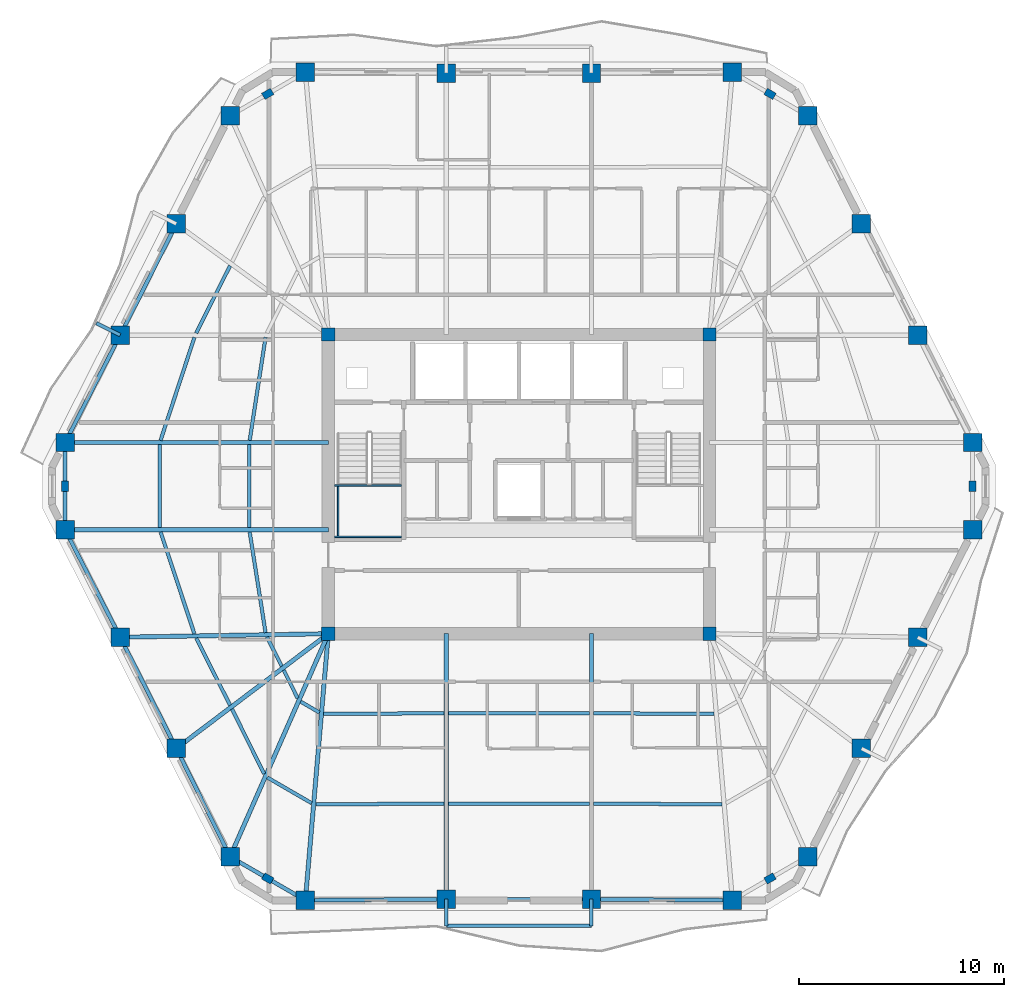
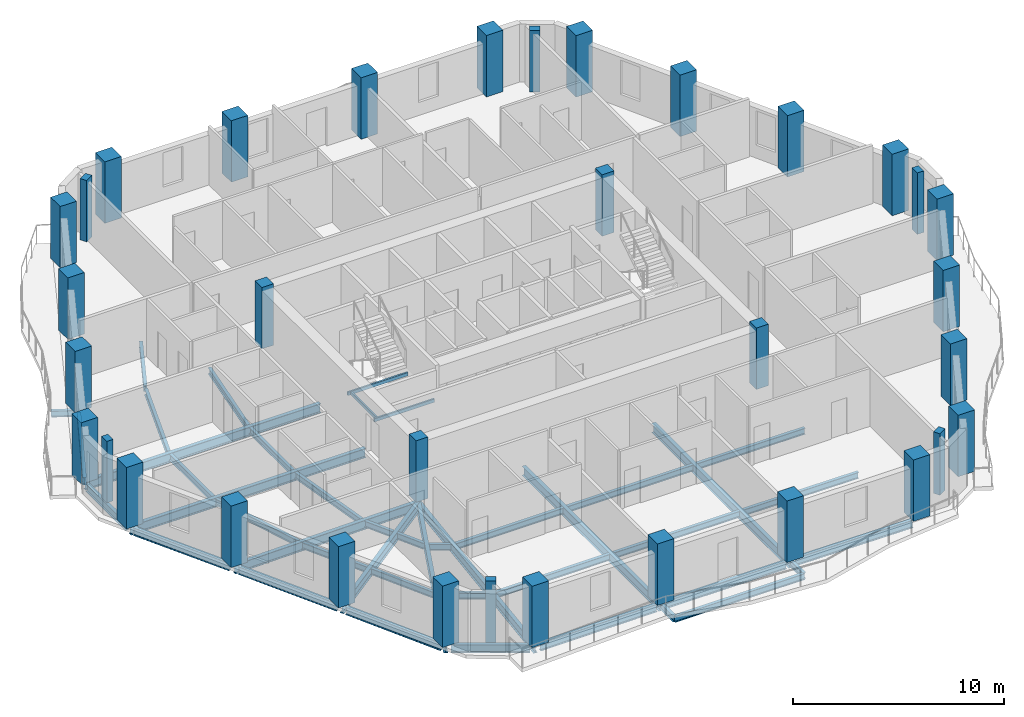
# One storey, part 1 of 10: 44 beams, 34 columns.
"""IFC4 building model written with IfcOpenShell, lengths in metres."""

from ifc_helpers import new_model, si_unit, direction, frame, origin, origin_2d, place, context, subcontext, project, spatial, rectangle, hollow_rectangle, i_section, extrude, material, material_profile, profile_set, type_object, element, save


model = new_model("IFC4")

# Units and contexts
model_context = context("Model", 3, precision=1e-05, world=origin(), true_north=direction((0.0, 1.0)))
body_context = subcontext(model_context, "Body", "Model", "MODEL_VIEW")
ifc_project = project(units=[si_unit("LENGTHUNIT", "METRE"), si_unit("AREAUNIT", "SQUARE_METRE"), si_unit("VOLUMEUNIT", "CUBIC_METRE"), si_unit("PLANEANGLEUNIT", "RADIAN"), si_unit("MASSUNIT", "GRAM", prefix="KILO")], contexts=[model_context])

# Site, building, storey
site_placement = place(None, origin())
site = spatial("IfcSite", under=ifc_project, at=site_placement, CompositionType="ELEMENT")
building_placement = place(site_placement, origin())
building = spatial("IfcBuilding", under=site, at=building_placement, Name="Cinnabar Lancet Tower", CompositionType="ELEMENT")
storey_placement = place(building_placement, frame((0.0, 0.0, 203.85009765625)))
storey = spatial("IfcBuildingStorey", under=building, at=storey_placement, Name="L54", CompositionType="ELEMENT", Elevation=203.85009765625)

# Columns
ifc_material_1 = material(Name="Concrete C60/75", Category="concrete")
ifc_material_profile_1 = material_profile(ifc_material_1, rectangle(XDim=0.64990234375, YDim=0.64990234375, at=origin_2d()), Name="RC-COL 650x650")
ifc_profile_set_1 = profile_set([ifc_material_profile_1], Name="Concrete C60/75")
column_type_1 = type_object("IfcColumnType", Name="STR-COL-CORE-650", PredefinedType="COLUMN", material=ifc_profile_set_1)
for number, where, z_axis, x_axis, name in (
    (1, (23.10009765625, 18.60009765625, 0.0), (0.0, 0.0, 1.0), (1.0, 0.0, 0.0), "L54 Core Corner Column SW"),
    (2, (41.699951171875, 18.60009765625, 0.0), (0.0, 0.0, 1.0), (1.0, 0.0, 0.0), "L54 Core Corner Column SE"),
    (3, (41.699951171875, 33.199951171875, 0.0), (0.0, 0.0, 1.0), (1.0, 0.0, 0.0), "L54 Core Corner Column NE"),
    (4, (23.10009765625, 33.199951171875, 0.0), (0.0, 0.0, 1.0), (1.0, 0.0, 0.0), "L54 Core Corner Column NW"),
):
    element("IfcColumn", number, at=place(storey_placement, frame(where, z_axis=z_axis, x_axis=x_axis)), inside=storey, type_object=column_type_1, Name=name, PredefinedType="COLUMN", context=body_context, shape_type="SweptSolid", body=[
        extrude(rectangle(XDim=0.64990234375, YDim=0.64990234375, at=origin_2d()), origin(), (0.0, 0.0, 1.0), 3.5498046875),
    ])
ifc_material_2 = material(Name="Concrete C60/75", Category="concrete")
ifc_material_profile_2 = material_profile(ifc_material_2, rectangle(XDim=0.5, YDim=0.35009765625, at=origin_2d()), Name="RC-PIL 500x350")
ifc_profile_set_2 = profile_set([ifc_material_profile_2], Name="Concrete C60/75")
column_type_2 = type_object("IfcColumnType", Name="STR-COL-PIL-500", PredefinedType="PILASTER", material=ifc_profile_set_2)
for number, where, z_axis, x_axis, name in (
    (5, (20.14208984375, 6.654052734375, 0.0), (0.0, 0.0, 1.0), (0.865230187018, -0.501374833306, 0.0), "L54 Chamfered Corner Pilaster 1"),
    (6, (44.657958984375, 6.654052734375, 0.0), (0.0, 0.0, 1.0), (0.865230187018, 0.501374833306, 0.0), "L54 Chamfered Corner Pilaster 2"),
    (7, (54.547119140625, 25.800048828125, 0.0), (0.0, 0.0, 1.0), (0.0, 1.0, 0.0), "L54 Chamfered Corner Pilaster 3"),
    (8, (44.657958984375, 44.947021484375, 0.0), (0.0, 0.0, 1.0), (-0.865230187018, 0.501374833306, 0.0), "L54 Chamfered Corner Pilaster 4"),
    (9, (20.14208984375, 44.947021484375, 0.0), (0.0, 0.0, 1.0), (-0.865230187018, -0.501374833306, 0.0), "L54 Chamfered Corner Pilaster 5"),
    (10, (10.2529296875, 25.800048828125, 0.0), (0.0, 0.0, 1.0), (0.0, -1.0, 0.0), "L54 Chamfered Corner Pilaster 6"),
):
    element("IfcColumn", number, at=place(storey_placement, frame(where, z_axis=z_axis, x_axis=x_axis)), inside=storey, type_object=column_type_2, Name=name, PredefinedType="PILASTER", context=body_context, shape_type="SweptSolid", body=[
        extrude(rectangle(XDim=0.5, YDim=0.35009765625, at=origin_2d()), origin(), (0.0, 0.0, 1.0), 3.5498046875),
    ])
ifc_material_3 = material(Name="Concrete C60/75", Category="concrete")
ifc_material_profile_3 = material_profile(ifc_material_3, rectangle(XDim=0.89990234375, YDim=0.89990234375, at=origin_2d()), Name="RC-COL 900x900")
ifc_profile_set_3 = profile_set([ifc_material_profile_3], Name="Concrete C60/75")
column_type_3 = type_object("IfcColumnType", Name="STR-COL-TUBE-900", PredefinedType="COLUMN", material=ifc_profile_set_3)
for number, where, z_axis, x_axis, name in (
    (11, (21.97900390625, 5.589111328125, 0.0), (0.0, 0.0, 1.0), (1.0, 0.0, 0.0), "L54 Perimeter Tube Column 1"),
    (12, (28.85693359375, 5.64208984375, 0.0), (0.0, 0.0, 1.0), (1.0, 0.0, 0.0), "L54 Perimeter Tube Column 2"),
    (13, (35.943115234375, 5.64208984375, 0.0), (0.0, 0.0, 1.0), (1.0, 0.0, 0.0), "L54 Perimeter Tube Column 3"),
    (14, (42.821044921875, 5.589111328125, 0.0), (0.0, 0.0, 1.0), (1.0, 0.0, 0.0), "L54 Perimeter Tube Column 4"),
    (15, (46.4951171875, 7.718017578125, 0.0), (0.0, 0.0, 1.0), (1.0, 0.0, 0.0), "L54 Perimeter Tube Column 5"),
    (16, (49.118896484375, 13.0009765625, 0.0), (0.0, 0.0, 1.0), (1.0, 0.0, 0.0), "L54 Perimeter Tube Column 6"),
    (17, (51.85791015625, 18.428955078125, 0.0), (0.0, 0.0, 1.0), (1.0, 0.0, 0.0), "L54 Perimeter Tube Column 7"),
    (18, (54.547119140625, 23.66796875, 0.0), (0.0, 0.0, 1.0), (1.0, 0.0, 0.0), "L54 Perimeter Tube Column 8"),
    (19, (54.547119140625, 27.931884765625, 0.0), (0.0, 0.0, 1.0), (1.0, 0.0, 0.0), "L54 Perimeter Tube Column 9"),
    (20, (51.85791015625, 33.1708984375, 0.0), (0.0, 0.0, 1.0), (1.0, 0.0, 0.0), "L54 Perimeter Tube Column 10"),
    (21, (49.118896484375, 38.59912109375, 0.0), (0.0, 0.0, 1.0), (1.0, 0.0, 0.0), "L54 Perimeter Tube Column 11"),
    (22, (46.4951171875, 43.882080078125, 0.0), (0.0, 0.0, 1.0), (1.0, 0.0, 0.0), "L54 Perimeter Tube Column 12"),
    (23, (42.821044921875, 46.010986328125, 0.0), (0.0, 0.0, 1.0), (1.0, 0.0, 0.0), "L54 Perimeter Tube Column 13"),
    (24, (35.943115234375, 45.9580078125, 0.0), (0.0, 0.0, 1.0), (1.0, 0.0, 0.0), "L54 Perimeter Tube Column 14"),
    (25, (28.85693359375, 45.9580078125, 0.0), (0.0, 0.0, 1.0), (1.0, 0.0, 0.0), "L54 Perimeter Tube Column 15"),
    (26, (21.97900390625, 46.010986328125, 0.0), (0.0, 0.0, 1.0), (1.0, 0.0, 0.0), "L54 Perimeter Tube Column 16"),
    (27, (18.304931640625, 43.882080078125, 0.0), (0.0, 0.0, 1.0), (1.0, 0.0, 0.0), "L54 Perimeter Tube Column 17"),
    (28, (15.680908203125, 38.59912109375, 0.0), (0.0, 0.0, 1.0), (1.0, 0.0, 0.0), "L54 Perimeter Tube Column 18"),
    (29, (12.94189453125, 33.1708984375, 0.0), (0.0, 0.0, 1.0), (1.0, 0.0, 0.0), "L54 Perimeter Tube Column 19"),
    (30, (10.2529296875, 27.931884765625, 0.0), (0.0, 0.0, 1.0), (1.0, 0.0, 0.0), "L54 Perimeter Tube Column 20"),
    (31, (10.2529296875, 23.66796875, 0.0), (0.0, 0.0, 1.0), (1.0, 0.0, 0.0), "L54 Perimeter Tube Column 21"),
    (32, (12.94189453125, 18.428955078125, 0.0), (0.0, 0.0, 1.0), (1.0, 0.0, 0.0), "L54 Perimeter Tube Column 22"),
    (33, (15.680908203125, 13.0009765625, 0.0), (0.0, 0.0, 1.0), (1.0, 0.0, 0.0), "L54 Perimeter Tube Column 23"),
    (34, (18.304931640625, 7.718017578125, 0.0), (0.0, 0.0, 1.0), (1.0, 0.0, 0.0), "L54 Perimeter Tube Column 24"),
):
    element("IfcColumn", number, at=place(storey_placement, frame(where, z_axis=z_axis, x_axis=x_axis)), inside=storey, type_object=column_type_3, Name=name, PredefinedType="COLUMN", context=body_context, shape_type="SweptSolid", body=[
        extrude(rectangle(XDim=0.89990234375, YDim=0.89990234375, at=origin_2d()), origin(), (0.0, 0.0, 1.0), 3.5498046875),
    ])

# Beams
ifc_material_4 = material(Name="Structural steel S355", Category="steel")
ifc_material_profile_4 = material_profile(ifc_material_4, i_section(OverallWidth=0.17138671875, OverallDepth=0.35498046875, WebThickness=0.00732421875, FlangeThickness=0.011474609375, FilletRadius=0.01025390625, at=origin_2d()), Name="UKB 356x171x51")
ifc_profile_set_4 = profile_set([ifc_material_profile_4], Name="Structural steel S355")
beam_type_1 = type_object("IfcBeamType", Name="STR-BM-JST-356", PredefinedType="JOIST", material=ifc_profile_set_4)
beam_1_placement = place(storey_placement, frame((14.9130859375, 23.56298828125, -0.378173828125), z_axis=(0.315346227037, -0.948976689436, 0.0), x_axis=(0.948976689436, 0.315346227037, 0.0)))
element("IfcBeam", 35, at=beam_1_placement, inside=storey, type_object=beam_type_1, Name="L54 Secondary Floor Joist 1", PredefinedType="JOIST", context=body_context, shape_type="SweptSolid", body=[
    extrude(i_section(OverallWidth=0.17138671875, OverallDepth=0.35498046875, WebThickness=0.00732421875, FlangeThickness=0.011474609375, FilletRadius=0.01025390625, at=origin_2d()), origin(), (0.0, 0.0, 1.0), 5.235107421875),
])
beam_2_placement = place(storey_placement, frame((19.261962890625, 23.56298828125, -0.378173828125), z_axis=(0.155702775827, -0.987803950994, 0.0), x_axis=(0.987803950994, 0.155702775827, 0.0)))
element("IfcBeam", 36, at=beam_2_placement, inside=storey, type_object=beam_type_1, Name="L54 Secondary Floor Joist 2", PredefinedType="JOIST", context=body_context, shape_type="SweptSolid", body=[
    extrude(i_section(OverallWidth=0.17138671875, OverallDepth=0.35498046875, WebThickness=0.00732421875, FlangeThickness=0.011474609375, FilletRadius=0.01025390625, at=origin_2d()), origin(), (0.0, 0.0, 1.0), 4.970458984375),
])
beam_3_placement = place(storey_placement, frame((16.65087890625, 18.386962890625, -0.378173828125), z_axis=(0.45061776862, -0.892716991327, 0.0), x_axis=(0.892716991327, 0.45061776862, 0.0)))
element("IfcBeam", 37, at=beam_3_placement, inside=storey, type_object=beam_type_1, Name="L54 Secondary Floor Joist 3", PredefinedType="JOIST", context=body_context, shape_type="SweptSolid", body=[
    extrude(i_section(OverallWidth=0.17138671875, OverallDepth=0.35498046875, WebThickness=0.00732421875, FlangeThickness=0.011474609375, FilletRadius=0.01025390625, at=origin_2d()), origin(), (0.0, 0.0, 1.0), 3.66845703125),
])
beam_4_placement = place(storey_placement, frame((20.10498046875, 18.445068359375, -0.378173828125), z_axis=(0.450137936259, -0.892959035085, 0.0), x_axis=(0.892959035085, 0.450137936259, 0.0)))
element("IfcBeam", 38, at=beam_4_placement, inside=storey, type_object=beam_type_1, Name="L54 Secondary Floor Joist 4", PredefinedType="JOIST", context=body_context, shape_type="SweptSolid", body=[
    extrude(i_section(OverallWidth=0.17138671875, OverallDepth=0.35498046875, WebThickness=0.00732421875, FlangeThickness=0.011474609375, FilletRadius=0.01025390625, at=origin_2d()), origin(), (0.0, 0.0, 1.0), 1.6015625),
])
beam_5_placement = place(storey_placement, frame((18.39892578125, 14.9208984375, -0.378173828125), z_axis=(0.445083338565, -0.895489152214, 0.0), x_axis=(0.895489152214, 0.445083338565, 0.0)))
element("IfcBeam", 39, at=beam_5_placement, inside=storey, type_object=beam_type_1, Name="L54 Secondary Floor Joist 5", PredefinedType="JOIST", context=body_context, shape_type="SweptSolid", body=[
    extrude(i_section(OverallWidth=0.17138671875, OverallDepth=0.35498046875, WebThickness=0.00732421875, FlangeThickness=0.011474609375, FilletRadius=0.01025390625, at=origin_2d()), origin(), (0.0, 0.0, 1.0), 3.531982421875),
])
beam_6_placement = place(storey_placement, frame((20.922119140625, 16.824951171875, -0.378173828125), z_axis=(0.444589856968, -0.895734256954, 0.0), x_axis=(0.895734256954, 0.444589856968, 0.0)))
element("IfcBeam", 40, at=beam_6_placement, inside=storey, type_object=beam_type_1, Name="L54 Secondary Floor Joist 6", PredefinedType="JOIST", context=body_context, shape_type="SweptSolid", body=[
    extrude(i_section(OverallWidth=0.17138671875, OverallDepth=0.35498046875, WebThickness=0.00732421875, FlangeThickness=0.011474609375, FilletRadius=0.01025390625, at=origin_2d()), origin(), (0.0, 0.0, 1.0), 1.527099609375),
])
beam_7_placement = place(storey_placement, frame((20.1220703125, 11.5830078125, -0.378173828125), z_axis=(0.865267839663, -0.501309849937, 0.0), x_axis=(0.501309849937, 0.865267839663, 0.0)))
element("IfcBeam", 41, at=beam_7_placement, inside=storey, type_object=beam_type_1, Name="L54 Secondary Floor Joist 7", PredefinedType="JOIST", context=body_context, shape_type="SweptSolid", body=[
    extrude(i_section(OverallWidth=0.17138671875, OverallDepth=0.35498046875, WebThickness=0.00732421875, FlangeThickness=0.011474609375, FilletRadius=0.01025390625, at=origin_2d()), origin(), (0.0, 0.0, 1.0), 2.497314453125),
])
beam_8_placement = place(storey_placement, frame((21.7529296875, 15.282958984375, -0.378173828125), z_axis=(0.8651881055, -0.501447446998, 0.0), x_axis=(0.501447446998, 0.8651881055, 0.0)))
element("IfcBeam", 42, at=beam_8_placement, inside=storey, type_object=beam_type_1, Name="L54 Secondary Floor Joist 8", PredefinedType="JOIST", context=body_context, shape_type="SweptSolid", body=[
    extrude(i_section(OverallWidth=0.17138671875, OverallDepth=0.35498046875, WebThickness=0.00732421875, FlangeThickness=0.011474609375, FilletRadius=0.01025390625, at=origin_2d()), origin(), (0.0, 0.0, 1.0), 1.05322265625),
])
beam_9_placement = place(storey_placement, frame((22.488037109375, 10.27392578125, -0.378173828125), z_axis=(0.999986965561, 0.005105752523, 0.0), x_axis=(-0.005105752523, 0.999986965561, 0.0)))
element("IfcBeam", 43, at=beam_9_placement, inside=storey, type_object=beam_type_1, Name="L54 Secondary Floor Joist 9", PredefinedType="JOIST", context=body_context, shape_type="SweptSolid", body=[
    extrude(i_section(OverallWidth=0.17138671875, OverallDepth=0.35498046875, WebThickness=0.00732421875, FlangeThickness=0.011474609375, FilletRadius=0.01025390625, at=origin_2d()), origin(), (0.0, 0.0, 1.0), 6.263916015625),
])
beam_10_placement = place(storey_placement, frame((22.868896484375, 14.697021484375, -0.378173828125), z_axis=(0.999996795933, 0.002531427338, 0.0), x_axis=(-0.002531427338, 0.999996795933, 0.0)))
element("IfcBeam", 44, at=beam_10_placement, inside=storey, type_object=beam_type_1, Name="L54 Secondary Floor Joist 10", PredefinedType="JOIST", context=body_context, shape_type="SweptSolid", body=[
    extrude(i_section(OverallWidth=0.17138671875, OverallDepth=0.35498046875, WebThickness=0.00732421875, FlangeThickness=0.011474609375, FilletRadius=0.01025390625, at=origin_2d()), origin(), (0.0, 0.0, 1.0), 5.883056640625),
])
for number, where, z_axis, x_axis, name in (
    (45, (28.9619140625, 10.306884765625, -0.378173828125), (1.0, 0.0, 0.0), (0.0, 1.0, 0.0), "L54 Secondary Floor Joist 11"),
    (46, (28.9619140625, 14.712890625, -0.378173828125), (1.0, 0.0, 0.0), (0.0, 1.0, 0.0), "L54 Secondary Floor Joist 12"),
):
    element("IfcBeam", number, at=place(storey_placement, frame(where, z_axis=z_axis, x_axis=x_axis)), inside=storey, type_object=beam_type_1, Name=name, PredefinedType="JOIST", context=body_context, shape_type="SweptSolid", body=[
        extrude(i_section(OverallWidth=0.17138671875, OverallDepth=0.35498046875, WebThickness=0.00732421875, FlangeThickness=0.011474609375, FilletRadius=0.01025390625, at=origin_2d()), origin(), (0.0, 0.0, 1.0), 6.8759765625),
    ])
beam_11_placement = place(storey_placement, frame((36.048095703125, 10.305908203125, -0.378173828125), z_axis=(0.999986965561, -0.005105752523, 0.0), x_axis=(0.005105752523, 0.999986965561, 0.0)))
element("IfcBeam", 47, at=beam_11_placement, inside=storey, type_object=beam_type_1, Name="L54 Secondary Floor Joist 13", PredefinedType="JOIST", context=body_context, shape_type="SweptSolid", body=[
    extrude(i_section(OverallWidth=0.17138671875, OverallDepth=0.35498046875, WebThickness=0.00732421875, FlangeThickness=0.011474609375, FilletRadius=0.01025390625, at=origin_2d()), origin(), (0.0, 0.0, 1.0), 6.263916015625),
])
beam_12_placement = place(storey_placement, frame((36.048095703125, 14.7119140625, -0.378173828125), z_axis=(0.999996795667, -0.002531532393, 0.0), x_axis=(0.002531532393, 0.999996795667, 0.0)))
element("IfcBeam", 48, at=beam_12_placement, inside=storey, type_object=beam_type_1, Name="L54 Secondary Floor Joist 14", PredefinedType="JOIST", context=body_context, shape_type="SweptSolid", body=[
    extrude(i_section(OverallWidth=0.17138671875, OverallDepth=0.35498046875, WebThickness=0.00732421875, FlangeThickness=0.011474609375, FilletRadius=0.01025390625, at=origin_2d()), origin(), (0.0, 0.0, 1.0), 5.8828125),
])
beam_13_placement = place(storey_placement, frame((18.303955078125, 36.56103515625, -0.378173828125), z_axis=(-0.449230875134, -0.893415704376, 0.0), x_axis=(0.893415704376, -0.449230875134, 0.0)))
element("IfcBeam", 49, at=beam_13_placement, inside=storey, type_object=beam_type_1, Name="L54 Secondary Floor Joist 43", PredefinedType="JOIST", context=body_context, shape_type="SweptSolid", body=[
    extrude(i_section(OverallWidth=0.17138671875, OverallDepth=0.35498046875, WebThickness=0.00732421875, FlangeThickness=0.011474609375, FilletRadius=0.01025390625, at=origin_2d()), origin(), (0.0, 0.0, 1.0), 3.677001953125),
])
beam_14_placement = place(storey_placement, frame((16.56494140625, 33.06591796875, -0.378173828125), z_axis=(-0.312240109925, -0.95000321776, 0.0), x_axis=(0.95000321776, -0.312240109925, 0.0)))
element("IfcBeam", 50, at=beam_14_placement, inside=storey, type_object=beam_type_1, Name="L54 Secondary Floor Joist 45", PredefinedType="JOIST", context=body_context, shape_type="SweptSolid", body=[
    extrude(i_section(OverallWidth=0.17138671875, OverallDepth=0.35498046875, WebThickness=0.00732421875, FlangeThickness=0.011474609375, FilletRadius=0.01025390625, at=origin_2d()), origin(), (0.0, 0.0, 1.0), 5.29345703125),
])
beam_15_placement = place(storey_placement, frame((20.035888671875, 33.06591796875, -0.378173828125), z_axis=(-0.152107663797, -0.988363930248, 0.0), x_axis=(0.988363930248, -0.152107663797, 0.0)))
element("IfcBeam", 51, at=beam_15_placement, inside=storey, type_object=beam_type_1, Name="L54 Secondary Floor Joist 46", PredefinedType="JOIST", context=body_context, shape_type="SweptSolid", body=[
    extrude(i_section(OverallWidth=0.17138671875, OverallDepth=0.35498046875, WebThickness=0.00732421875, FlangeThickness=0.011474609375, FilletRadius=0.01025390625, at=origin_2d()), origin(), (0.0, 0.0, 1.0), 5.088134765625),
])
for number, where, z_axis, x_axis, name in (
    (52, (14.8779296875, 27.826904296875, -0.378173828125), (0.0, -1.0, 0.0), (1.0, 0.0, 0.0), "L54 Secondary Floor Joist 47"),
    (53, (19.24609375, 27.826904296875, -0.378173828125), (0.0, -1.0, 0.0), (1.0, 0.0, 0.0), "L54 Secondary Floor Joist 48"),
):
    element("IfcBeam", number, at=place(storey_placement, frame(where, z_axis=z_axis, x_axis=x_axis)), inside=storey, type_object=beam_type_1, Name=name, PredefinedType="JOIST", context=body_context, shape_type="SweptSolid", body=[
        extrude(i_section(OverallWidth=0.17138671875, OverallDepth=0.35498046875, WebThickness=0.00732421875, FlangeThickness=0.011474609375, FilletRadius=0.01025390625, at=origin_2d()), origin(), (0.0, 0.0, 1.0), 4.053955078125),
    ])
ifc_material_5 = material(Name="Structural steel S355", Category="steel")
ifc_material_profile_5 = material_profile(ifc_material_5, hollow_rectangle(XDim=0.10009765625, YDim=0.199951171875, WallThickness=0.008056640625, InnerFilletRadius=0.00390625, OuterFilletRadius=0.011962890625, at=origin_2d()), Name="RHS 200x100x8")
ifc_profile_set_5 = profile_set([ifc_material_profile_5], Name="Structural steel S355")
beam_type_2 = type_object("IfcBeamType", Name="STR-BM-LND-203", PredefinedType="BEAM", material=ifc_profile_set_5)
for number, where, z_axis, x_axis, name in (
    (54, (23.39990234375, 23.330078125, 1.474853515625), (1.0, 0.0, 0.0), (0.0, 1.0, 0.0), "L54 ST-1-L54 Landing Support Beam S"),
    (55, (23.39990234375, 25.844970703125, 1.474853515625), (1.0, 0.0, 0.0), (0.0, 1.0, 0.0), "L54 ST-1-L54 Landing Support Beam N"),
):
    element("IfcBeam", number, at=place(storey_placement, frame(where, z_axis=z_axis, x_axis=x_axis)), inside=storey, type_object=beam_type_2, Name=name, PredefinedType="BEAM", context=body_context, shape_type="SweptSolid", body=[
        extrude(hollow_rectangle(XDim=0.10009765625, YDim=0.199951171875, WallThickness=0.008056640625, InnerFilletRadius=0.00390625, OuterFilletRadius=0.011962890625, at=origin_2d()), origin(), (0.0, 0.0, 1.0), 3.280029296875),
    ])
beam_16_placement = place(storey_placement, frame((23.580078125, 23.3798828125, 1.474853515625), z_axis=(0.0, 1.0, 0.0), x_axis=(-1.0, 0.0, 0.0)))
element("IfcBeam", 56, at=beam_16_placement, inside=storey, type_object=beam_type_2, Name="L54 ST-1-L54 Landing Side Trimmer Beam", PredefinedType="BEAM", context=body_context, shape_type="SweptSolid", body=[
    extrude(hollow_rectangle(XDim=0.10009765625, YDim=0.199951171875, WallThickness=0.008056640625, InnerFilletRadius=0.00390625, OuterFilletRadius=0.011962890625, at=origin_2d()), origin(), (0.0, 0.0, 1.0), 2.4150390625),
])
ifc_material_6 = material(Name="Structural steel S355", Category="steel")
ifc_material_profile_6 = material_profile(ifc_material_6, i_section(OverallWidth=0.1904296875, OverallDepth=0.45703125, WebThickness=0.009033203125, FlangeThickness=0.014404296875, FilletRadius=0.01025390625, at=origin_2d()), Name="UKB 457x191x74")
ifc_profile_set_6 = profile_set([ifc_material_profile_6], Name="Structural steel S355")
beam_type_3 = type_object("IfcBeamType", Name="STR-BM-SPN-457", PredefinedType="SPANDREL", material=ifc_profile_set_6)
beam_17_placement = place(storey_placement, frame((22.22900390625, 5.591064453125, -0.427978515625), z_axis=(0.999970695686, 0.007655571089, 0.0), x_axis=(-0.007655571089, 0.999970695686, 0.0)))
element("IfcBeam", 57, at=beam_17_placement, inside=storey, type_object=beam_type_3, Name="L54 Perimeter Spandrel 1", PredefinedType="SPANDREL", context=body_context, shape_type="SweptSolid", body=[
    extrude(i_section(OverallWidth=0.1904296875, OverallDepth=0.45703125, WebThickness=0.009033203125, FlangeThickness=0.014404296875, FilletRadius=0.01025390625, at=origin_2d()), origin(), (0.0, 0.0, 1.0), 6.378173828125),
])
beam_18_placement = place(storey_placement, frame((29.10693359375, 5.64208984375, -0.427978515625), z_axis=(1.0, 0.0, 0.0), x_axis=(0.0, 1.0, 0.0)))
element("IfcBeam", 58, at=beam_18_placement, inside=storey, type_object=beam_type_3, Name="L54 Perimeter Spandrel 2", PredefinedType="SPANDREL", context=body_context, shape_type="SweptSolid", body=[
    extrude(i_section(OverallWidth=0.1904296875, OverallDepth=0.45703125, WebThickness=0.009033203125, FlangeThickness=0.014404296875, FilletRadius=0.01025390625, at=origin_2d()), origin(), (0.0, 0.0, 1.0), 6.586181640625),
])
beam_19_placement = place(storey_placement, frame((36.193115234375, 5.639892578125, -0.427978515625), z_axis=(0.999970695686, -0.007655571089, 0.0), x_axis=(0.007655571089, 0.999970695686, 0.0)))
element("IfcBeam", 59, at=beam_19_placement, inside=storey, type_object=beam_type_3, Name="L54 Perimeter Spandrel 3", PredefinedType="SPANDREL", context=body_context, shape_type="SweptSolid", body=[
    extrude(i_section(OverallWidth=0.1904296875, OverallDepth=0.45703125, WebThickness=0.009033203125, FlangeThickness=0.014404296875, FilletRadius=0.01025390625, at=origin_2d()), origin(), (0.0, 0.0, 1.0), 6.378173828125),
])
beam_20_placement = place(storey_placement, frame((15.568115234375, 38.3759765625, -0.427978515625), z_axis=(-0.450395996562, -0.892828900899, 0.0), x_axis=(0.892828900899, -0.450395996562, 0.0)))
element("IfcBeam", 60, at=beam_20_placement, inside=storey, type_object=beam_type_3, Name="L54 Perimeter Spandrel 18", PredefinedType="SPANDREL", context=body_context, shape_type="SweptSolid", body=[
    extrude(i_section(OverallWidth=0.1904296875, OverallDepth=0.45703125, WebThickness=0.009033203125, FlangeThickness=0.014404296875, FilletRadius=0.01025390625, at=origin_2d()), origin(), (0.0, 0.0, 1.0), 5.579833984375),
])
beam_21_placement = place(storey_placement, frame((12.827880859375, 32.948974609375, -0.427978515625), z_axis=(-0.456610910924, -0.889666497079, 0.0), x_axis=(0.889666497079, -0.456610910924, 0.0)))
element("IfcBeam", 61, at=beam_21_placement, inside=storey, type_object=beam_type_3, Name="L54 Perimeter Spandrel 19", PredefinedType="SPANDREL", context=body_context, shape_type="SweptSolid", body=[
    extrude(i_section(OverallWidth=0.1904296875, OverallDepth=0.45703125, WebThickness=0.009033203125, FlangeThickness=0.014404296875, FilletRadius=0.01025390625, at=origin_2d()), origin(), (0.0, 0.0, 1.0), 5.3896484375),
])
beam_22_placement = place(storey_placement, frame((10.2529296875, 27.681884765625, -0.427978515625), z_axis=(0.0, -1.0, 0.0), x_axis=(1.0, 0.0, 0.0)))
element("IfcBeam", 62, at=beam_22_placement, inside=storey, type_object=beam_type_3, Name="L54 Perimeter Spandrel 20", PredefinedType="SPANDREL", context=body_context, shape_type="SweptSolid", body=[
    extrude(i_section(OverallWidth=0.1904296875, OverallDepth=0.45703125, WebThickness=0.009033203125, FlangeThickness=0.014404296875, FilletRadius=0.01025390625, at=origin_2d()), origin(), (0.0, 0.0, 1.0), 3.763916015625),
])
beam_23_placement = place(storey_placement, frame((10.366943359375, 23.446044921875, -0.427978515625), z_axis=(0.456592509812, -0.889675940994, 0.0), x_axis=(0.889675940994, 0.456592509812, 0.0)))
element("IfcBeam", 63, at=beam_23_placement, inside=storey, type_object=beam_type_3, Name="L54 Perimeter Spandrel 21", PredefinedType="SPANDREL", context=body_context, shape_type="SweptSolid", body=[
    extrude(i_section(OverallWidth=0.1904296875, OverallDepth=0.45703125, WebThickness=0.009033203125, FlangeThickness=0.014404296875, FilletRadius=0.01025390625, at=origin_2d()), origin(), (0.0, 0.0, 1.0), 5.389892578125),
])
beam_24_placement = place(storey_placement, frame((13.054931640625, 18.2060546875, -0.427978515625), z_axis=(0.450395996562, -0.892828900899, 0.0), x_axis=(0.892828900899, 0.450395996562, 0.0)))
element("IfcBeam", 64, at=beam_24_placement, inside=storey, type_object=beam_type_3, Name="L54 Perimeter Spandrel 22", PredefinedType="SPANDREL", context=body_context, shape_type="SweptSolid", body=[
    extrude(i_section(OverallWidth=0.1904296875, OverallDepth=0.45703125, WebThickness=0.009033203125, FlangeThickness=0.014404296875, FilletRadius=0.01025390625, at=origin_2d()), origin(), (0.0, 0.0, 1.0), 5.579833984375),
])
beam_25_placement = place(storey_placement, frame((15.7919921875, 12.777099609375, -0.427978515625), z_axis=(0.444914968367, -0.895572817208, 0.0), x_axis=(0.895572817208, 0.444914968367, 0.0)))
element("IfcBeam", 65, at=beam_25_placement, inside=storey, type_object=beam_type_3, Name="L54 Perimeter Spandrel 23", PredefinedType="SPANDREL", context=body_context, shape_type="SweptSolid", body=[
    extrude(i_section(OverallWidth=0.1904296875, OverallDepth=0.45703125, WebThickness=0.009033203125, FlangeThickness=0.014404296875, FilletRadius=0.01025390625, at=origin_2d()), origin(), (0.0, 0.0, 1.0), 5.39892578125),
])
beam_26_placement = place(storey_placement, frame((18.52099609375, 7.593017578125, -0.427978515625), z_axis=(0.865195717586, -0.501434313016, 0.0), x_axis=(0.501434313016, 0.865195717586, 0.0)))
element("IfcBeam", 66, at=beam_26_placement, inside=storey, type_object=beam_type_3, Name="L54 Perimeter Spandrel 24", PredefinedType="SPANDREL", context=body_context, shape_type="SweptSolid", body=[
    extrude(i_section(OverallWidth=0.1904296875, OverallDepth=0.45703125, WebThickness=0.009033203125, FlangeThickness=0.014404296875, FilletRadius=0.01025390625, at=origin_2d()), origin(), (0.0, 0.0, 1.0), 3.7470703125),
])
ifc_material_7 = material(Name="Structural steel S355", Category="steel")
ifc_material_profile_7 = material_profile(ifc_material_7, i_section(OverallWidth=0.209228515625, OverallDepth=0.533203125, WebThickness=0.010009765625, FlangeThickness=0.015625, FilletRadius=0.0126953125, at=origin_2d()), Name="UKB 533x210x92")
ifc_profile_set_7 = profile_set([ifc_material_profile_7], Name="Structural steel S355")
beam_type_4 = type_object("IfcBeamType", Name="STR-BM-UKB533-92", PredefinedType="BEAM", material=ifc_profile_set_7)
beam_27_placement = place(storey_placement, frame((15.680908203125, 13.0009765625, -0.467041015625), z_axis=(0.798202971293, 0.602388592703, 0.0), x_axis=(-0.602388592703, 0.798202971293, 0.0)))
element("IfcBeam", 67, at=beam_27_placement, inside=storey, type_object=beam_type_4, Name="L54 Corner Collector Girder 1", PredefinedType="BEAM", context=body_context, shape_type="SweptSolid", body=[
    extrude(i_section(OverallWidth=0.209228515625, OverallDepth=0.533203125, WebThickness=0.010009765625, FlangeThickness=0.015625, FilletRadius=0.0126953125, at=origin_2d()), origin(), (0.0, 0.0, 1.0), 9.294921875),
])
beam_28_placement = place(storey_placement, frame((21.97900390625, 5.589111328125, -0.467041015625), z_axis=(0.085847068729, 0.996308326167, 0.0), x_axis=(-0.996308326167, 0.085847068729, 0.0)))
element("IfcBeam", 68, at=beam_28_placement, inside=storey, type_object=beam_type_4, Name="L54 Primary Floor Girder 1", PredefinedType="BEAM", context=body_context, shape_type="SweptSolid", body=[
    extrude(i_section(OverallWidth=0.209228515625, OverallDepth=0.533203125, WebThickness=0.010009765625, FlangeThickness=0.015625, FilletRadius=0.0126953125, at=origin_2d()), origin(), (0.0, 0.0, 1.0), 13.05908203125),
])
for number, where, z_axis, x_axis, name in (
    (69, (28.85693359375, 5.64208984375, -0.467041015625), (0.0, 1.0, 0.0), (-1.0, 0.0, 0.0), "L54 Primary Floor Girder 2"),
    (70, (35.943115234375, 5.64208984375, -0.467041015625), (0.0, 1.0, 0.0), (-1.0, 0.0, 0.0), "L54 Primary Floor Girder 3"),
):
    element("IfcBeam", number, at=place(storey_placement, frame(where, z_axis=z_axis, x_axis=x_axis)), inside=storey, type_object=beam_type_4, Name=name, PredefinedType="BEAM", context=body_context, shape_type="SweptSolid", body=[
        extrude(i_section(OverallWidth=0.209228515625, OverallDepth=0.533203125, WebThickness=0.010009765625, FlangeThickness=0.015625, FilletRadius=0.0126953125, at=origin_2d()), origin(), (0.0, 0.0, 1.0), 12.9580078125),
    ])
for number, where, z_axis, x_axis, name in (
    (71, (10.2529296875, 27.931884765625, -0.467041015625), (1.0, 0.0, 0.0), (0.0, 1.0, 0.0), "L54 Primary Floor Girder 20"),
    (72, (10.2529296875, 23.66796875, -0.467041015625), (1.0, 0.0, 0.0), (0.0, 1.0, 0.0), "L54 Primary Floor Girder 21"),
):
    element("IfcBeam", number, at=place(storey_placement, frame(where, z_axis=z_axis, x_axis=x_axis)), inside=storey, type_object=beam_type_4, Name=name, PredefinedType="BEAM", context=body_context, shape_type="SweptSolid", body=[
        extrude(i_section(OverallWidth=0.209228515625, OverallDepth=0.533203125, WebThickness=0.010009765625, FlangeThickness=0.015625, FilletRadius=0.0126953125, at=origin_2d()), origin(), (0.0, 0.0, 1.0), 12.84716796875),
    ])
beam_29_placement = place(storey_placement, frame((12.94189453125, 18.428955078125, -0.467041015625), z_axis=(0.999858107345, 0.016845331024, 0.0), x_axis=(-0.016845331024, 0.999858107345, 0.0)))
element("IfcBeam", 73, at=beam_29_placement, inside=storey, type_object=beam_type_4, Name="L54 Primary Floor Girder 22", PredefinedType="BEAM", context=body_context, shape_type="SweptSolid", body=[
    extrude(i_section(OverallWidth=0.209228515625, OverallDepth=0.533203125, WebThickness=0.010009765625, FlangeThickness=0.015625, FilletRadius=0.0126953125, at=origin_2d()), origin(), (0.0, 0.0, 1.0), 10.15966796875),
])
beam_30_placement = place(storey_placement, frame((18.304931640625, 7.718017578125, -0.467041015625), z_axis=(0.403235299754, 0.915096329919, 0.0), x_axis=(-0.915096329919, 0.403235299754, 0.0)))
element("IfcBeam", 74, at=beam_30_placement, inside=storey, type_object=beam_type_4, Name="L54 Primary Floor Girder 24", PredefinedType="BEAM", context=body_context, shape_type="SweptSolid", body=[
    extrude(i_section(OverallWidth=0.209228515625, OverallDepth=0.533203125, WebThickness=0.010009765625, FlangeThickness=0.015625, FilletRadius=0.0126953125, at=origin_2d()), origin(), (0.0, 0.0, 1.0), 11.891845703125),
])
ifc_material_8 = material(Name="Structural steel S355", Category="steel")
ifc_material_profile_8 = material_profile(ifc_material_8, i_section(OverallWidth=0.17138671875, OverallDepth=0.35498046875, WebThickness=0.00732421875, FlangeThickness=0.011474609375, FilletRadius=0.01025390625, at=origin_2d()), Name="UKB 356x171x51")
ifc_profile_set_8 = profile_set([ifc_material_profile_8], Name="Structural steel S355")
beam_type_5 = type_object("IfcBeamType", Name="STR-BM-WAV-OUT", PredefinedType="BEAM", material=ifc_profile_set_8)
for number, where, z_axis, x_axis, name in (
    (75, (28.85693359375, 5.64208984375, -0.398193359375), (0.0, -1.0, 0.0), (1.0, 0.0, 0.0), "L54 Face 1 Balcony Outlooker A"),
    (76, (35.943115234375, 5.64208984375, -0.398193359375), (0.0, -1.0, 0.0), (1.0, 0.0, 0.0), "L54 Face 1 Balcony Outlooker B"),
    (77, (12.94189453125, 33.1708984375, -0.398193359375), (-0.892200264127, 0.451639998995, 0.0), (-0.451639998995, -0.892200264127, 0.0), "L54 Face 5 Balcony Outlooker B"),
):
    element("IfcBeam", number, at=place(storey_placement, frame(where, z_axis=z_axis, x_axis=x_axis)), inside=storey, type_object=beam_type_5, Name=name, PredefinedType="BEAM", context=body_context, shape_type="SweptSolid", body=[
        extrude(i_section(OverallWidth=0.17138671875, OverallDepth=0.35498046875, WebThickness=0.00732421875, FlangeThickness=0.011474609375, FilletRadius=0.01025390625, at=origin_2d()), origin(), (0.0, 0.0, 1.0), 1.300048828125),
    ])
ifc_material_9 = material(Name="Structural steel S355", Category="steel")
ifc_material_profile_9 = material_profile(ifc_material_9, i_section(OverallWidth=0.17138671875, OverallDepth=0.35498046875, WebThickness=0.00732421875, FlangeThickness=0.011474609375, FilletRadius=0.01025390625, at=origin_2d()), Name="UKB 356x171x51")
ifc_profile_set_9 = profile_set([ifc_material_profile_9], Name="Structural steel S355")
beam_type_6 = type_object("IfcBeamType", Name="STR-BM-WAV-TRIM", PredefinedType="SPANDREL", material=ifc_profile_set_9)
beam_31_placement = place(storey_placement, frame((28.85693359375, 4.342041015625, -0.398193359375), z_axis=(1.0, 0.0, 0.0), x_axis=(0.0, 1.0, 0.0)))
element("IfcBeam", 78, at=beam_31_placement, inside=storey, type_object=beam_type_6, Name="L54 Face 1 Balcony Edge Trimmer", PredefinedType="SPANDREL", context=body_context, shape_type="SweptSolid", body=[
    extrude(i_section(OverallWidth=0.17138671875, OverallDepth=0.35498046875, WebThickness=0.00732421875, FlangeThickness=0.011474609375, FilletRadius=0.01025390625, at=origin_2d()), origin(), (0.0, 0.0, 1.0), 7.086181640625),
])

save(model, "model.ifc")
